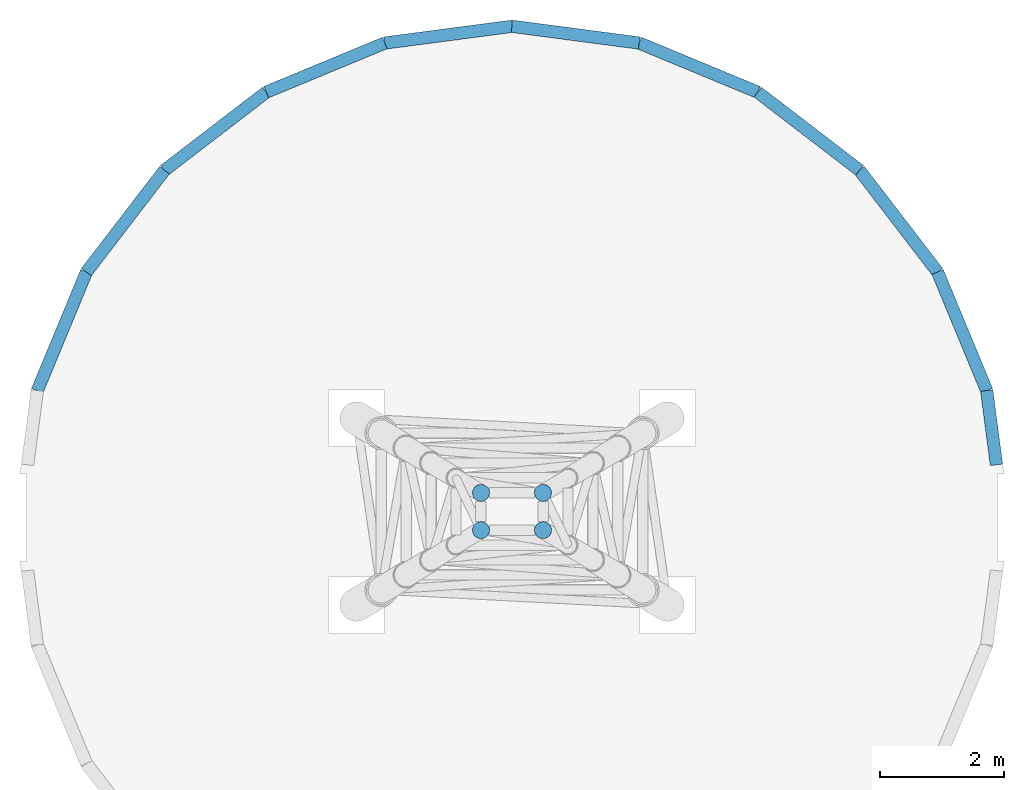
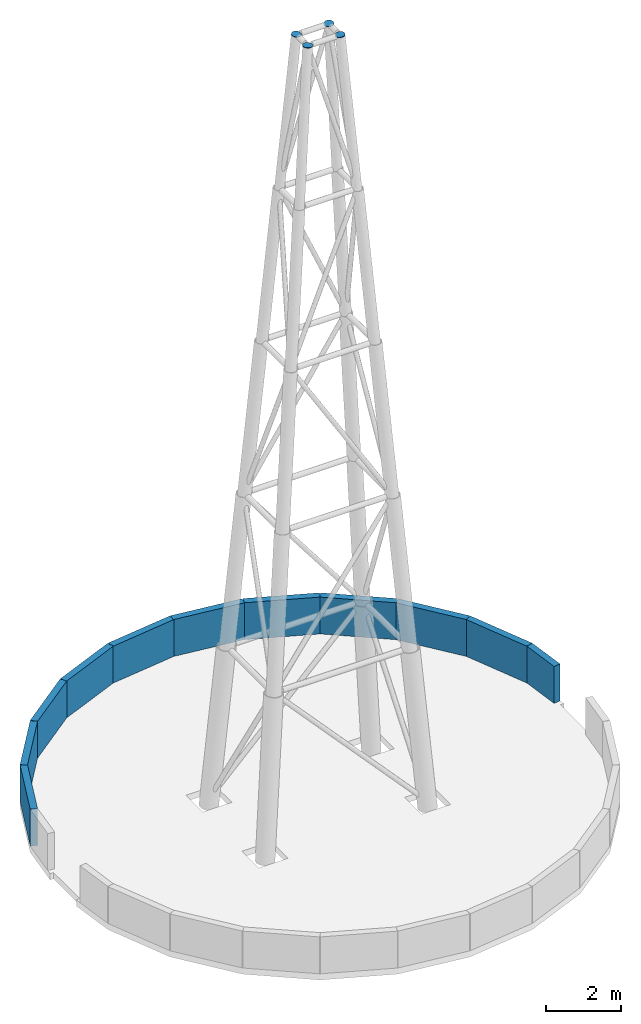
# One storey, part 2 of 2: 11 walls, 4 discrete accessories.
"""IFC4 building model written with IfcOpenShell, lengths in metres."""

import ifcopenshell
import ifcopenshell.guid

model = None  # the IFC model being written
_history = None  # IfcOwnerHistory: only IFC2X3 demands one
_inside = {}  # id of a spatial element -> (the spatial element, [elements in it])
_under = {}  # id of a project, library or spatial element -> (it, [spatial elements below it])
_declared = {}  # id of a project -> (the project, [libraries it declares])
_typed = {}  # id of a type object -> (the type object, [elements of that type])
_made_of = {}  # id of a material, layer set ... -> (it, [elements and type objects made of it])


def new_model(schema):
    """Start an empty IFC model of exactly this schema.

    Asked for "IFC4X3", IfcOpenShell would pick the latest addendum, in which some entities
    have other attributes; the version numbers below select the first issue.
    IFC2X3 requires an IfcOwnerHistory on every rooted entity: one is made here for all.
    """
    global model, _history
    if schema == "IFC4X3":
        model = ifcopenshell.file(schema_version=(4, 3, 0, 0))
    else:
        model = ifcopenshell.file(schema=schema)
    _inside.clear()
    _under.clear()
    _declared.clear()
    _typed.clear()
    _made_of.clear()
    _history = None
    if model.schema == "IFC2X3":
        org = make("IfcOrganization", Name="unknown")
        user = make(
            "IfcPersonAndOrganization",
            ThePerson=make("IfcPerson", FamilyName="unknown"),
            TheOrganization=org,
        )
        app = make(
            "IfcApplication",
            ApplicationDeveloper=org,
            Version="unknown",
            ApplicationFullName="unknown",
            ApplicationIdentifier="unknown",
        )
        _history = make(
            "IfcOwnerHistory",
            OwningUser=user,
            OwningApplication=app,
            ChangeAction="ADDED",
            CreationDate=0,
        )
    return model


def make(cls, **values):
    """One entity of the class cls with the attributes given. An attribute that is None is left unset."""
    return model.create_entity(
        cls, **{name: value for name, value in values.items() if value is not None}
    )


def rooted(cls, **values):
    """An entity with a GlobalId (a new one), such as an element, a storey or a relation."""
    return make(cls, GlobalId=ifcopenshell.guid.new(), OwnerHistory=_history, **values)


def si_unit(unit_type, name, prefix=None):
    """IfcSIUnit, for example si_unit("LENGTHUNIT", "METRE", prefix="MILLI")."""
    return make("IfcSIUnit", UnitType=unit_type, Prefix=prefix, Name=name)


def assignment(units):
    """IfcUnitAssignment: the units of a project."""
    return None if units is None else make("IfcUnitAssignment", Units=units)


def point(xyz):
    """IfcCartesianPoint."""
    return None if xyz is None else make("IfcCartesianPoint", Coordinates=xyz)


def direction(xyz):
    """IfcDirection."""
    return None if xyz is None else make("IfcDirection", DirectionRatios=xyz)


def frame(location, z_axis=None, x_axis=None):
    """IfcAxis2Placement3D, a coordinate frame: its origin and axes. An axis left out is left unset."""
    return make(
        "IfcAxis2Placement3D",
        Location=point(location),
        Axis=direction(z_axis),
        RefDirection=direction(x_axis),
    )


def frame_2d(location, x_axis=None):
    """IfcAxis2Placement2D, a coordinate frame in the plane: its origin and x axis."""
    return make(
        "IfcAxis2Placement2D", Location=point(location), RefDirection=direction(x_axis)
    )


def origin():
    """The frame at (0, 0, 0) with its axes left unset."""
    return frame((0.0, 0.0, 0.0))


def origin_2d():
    """The frame at (0, 0) in the plane with its x axis left unset."""
    return frame_2d((0.0, 0.0))


def place(relative_to, where):
    """IfcLocalPlacement: puts the frame where relative to a parent placement (None: the world)."""
    return make(
        "IfcLocalPlacement", PlacementRelTo=relative_to, RelativePlacement=where
    )


def context(
    kind, dimensions, precision=None, world=None, true_north=None, identifier=None
):
    """IfcGeometricRepresentationContext, for example the 3D "Model" context."""
    return make(
        "IfcGeometricRepresentationContext",
        ContextIdentifier=identifier,
        ContextType=kind,
        CoordinateSpaceDimension=dimensions,
        Precision=precision,
        WorldCoordinateSystem=world,
        TrueNorth=true_north,
    )


def subcontext(parent, identifier, kind, view, scale=None):
    """IfcGeometricRepresentationSubContext, for example "Body" below "Model"."""
    return make(
        "IfcGeometricRepresentationSubContext",
        ContextIdentifier=identifier,
        ContextType=kind,
        ParentContext=parent,
        TargetScale=scale,
        TargetView=view,
    )


def project(units=None, contexts=None):
    """IfcProject with its units and contexts."""
    return rooted(
        "IfcProject",
        Name="project",
        RepresentationContexts=contexts,
        UnitsInContext=assignment(units),
    )


def spatial(cls, under=None, at=None, **own):
    """A site, building, storey or space (cls), placed at a placement, below another one or the project."""
    s = rooted(cls, ObjectPlacement=at, **own)
    if under is not None:
        _under.setdefault(under.id(), (under, []))[1].append(s)
    return s


def profile(cls, at=None, kind="AREA", **sizes):
    """A parametric profile (cls). Its sizes go by their IFC names, for example OverallWidth=200.0."""
    return make(cls, ProfileType=kind, Position=at, **sizes)


def rectangle(**sizes):
    """IfcRectangleProfileDef."""
    return profile("IfcRectangleProfileDef", **sizes)


def circle(**sizes):
    """IfcCircleProfileDef."""
    return profile("IfcCircleProfileDef", **sizes)


def extrude(swept, where, along, depth):
    """IfcExtrudedAreaSolid: the profile swept, set in the frame where, extruded along a direction by depth."""
    return make(
        "IfcExtrudedAreaSolid",
        SweptArea=swept,
        Position=where,
        ExtrudedDirection=direction(along),
        Depth=depth,
    )


def shape(context_of_items, identifier, shape_type, items):
    """IfcShapeRepresentation: the items that make up one representation, for example the "Body"."""
    return make(
        "IfcShapeRepresentation",
        ContextOfItems=context_of_items,
        RepresentationIdentifier=identifier,
        RepresentationType=shape_type,
        Items=items,
    )


def material(Name=None, Category=None):
    """IfcMaterial."""
    return make("IfcMaterial", Name=Name, Category=Category)


def layer(
    of_material, thickness, ventilated=None, Name=None, Category=None, Priority=None
):
    """IfcMaterialLayer: one layer of a wall or slab, of a material (None: an air gap)."""
    return make(
        "IfcMaterialLayer",
        Material=of_material,
        LayerThickness=thickness,
        IsVentilated=ventilated,
        Name=Name,
        Category=Category,
        Priority=Priority,
    )


def layer_set(layers, Name=None):
    """IfcMaterialLayerSet."""
    return make("IfcMaterialLayerSet", MaterialLayers=layers, LayerSetName=Name)


def material_profile(
    of_material, cross_section, Name=None, Category=None, Priority=None
):
    """IfcMaterialProfile: a cross section and its material."""
    return make(
        "IfcMaterialProfile",
        Name=Name,
        Material=of_material,
        Profile=cross_section,
        Priority=Priority,
        Category=Category,
    )


def profile_set(profiles, Name=None, composite=None):
    """IfcMaterialProfileSet."""
    return make(
        "IfcMaterialProfileSet",
        Name=Name,
        MaterialProfiles=profiles,
        CompositeProfile=composite,
    )


def made_of(thing, what):
    """Note that an element or type object is made of a material, layer set ...; save() writes the relation."""
    if what is not None:
        _made_of.setdefault(what.id(), (what, []))[1].append(thing)
    return thing


def type_object(cls, material=None, **own):
    """A type object (cls), such as IfcWallType, which elements share."""
    return made_of(rooted(cls, **own), material)


def element(
    cls,
    number,
    at=None,
    inside=None,
    cuts=None,
    type_object=None,
    material=None,
    context=None,
    identifier="Body",
    shape_type=None,
    held_by="IfcProductDefinitionShape",
    body=None,
    shapes=None,
    **own,
):
    """One element of the class cls, such as IfcWall. Its Tag is "e" and its number.

    at: its placement. inside: the storey or other place that contains it. cuts: it is an
    opening in that element (IfcRelVoidsElement). A single representation is given by context,
    identifier, shape_type and body (its items); several are given by shapes. held_by: the class
    of the entity that holds the representations. save() writes the other relations.
    """
    e = rooted(cls, Tag="e%d" % number, ObjectPlacement=at, **own)
    if body is not None:
        shapes = [shape(context, identifier, shape_type, body)]
    if shapes is not None:
        e.Representation = make(held_by, Representations=shapes)
    if inside is not None:
        _inside.setdefault(inside.id(), (inside, []))[1].append(e)
    if cuts is not None:
        rooted(
            "IfcRelVoidsElement", RelatingBuildingElement=cuts, RelatedOpeningElement=e
        )
    if type_object is not None:
        _typed.setdefault(type_object.id(), (type_object, []))[1].append(e)
    return made_of(e, material)


def aggregate(whole, parts):
    """IfcRelAggregates: a whole, such as a stair, and the parts it consists of."""
    return rooted("IfcRelAggregates", RelatingObject=whole, RelatedObjects=parts)


def save(model, path):
    """Write the relations noted so far, then the file.

    IfcRelAggregates (storeys below a building ...), IfcRelContainedInSpatialStructure (elements
    in a storey), IfcRelDefinesByType, IfcRelAssociatesMaterial and IfcRelDeclares: one each for
    every whole, place, type object, material and project.
    """
    for whole, parts in _under.values():
        aggregate(whole, parts)
    for where, things in _inside.values():
        rooted(
            "IfcRelContainedInSpatialStructure",
            RelatedElements=things,
            RelatingStructure=where,
        )
    for kind, things in _typed.values():
        rooted("IfcRelDefinesByType", RelatedObjects=things, RelatingType=kind)
    for what, things in _made_of.values():
        rooted("IfcRelAssociatesMaterial", RelatedObjects=things, RelatingMaterial=what)
    for by, libraries in _declared.values():
        rooted("IfcRelDeclares", RelatingContext=by, RelatedDefinitions=libraries)
    model.write(path)


model = new_model("IFC4")

# Units and contexts
model_context = context("Model", 3, precision=1e-05, world=origin(), true_north=direction((0.0, 1.0)))
body_context = subcontext(model_context, "Body", "Model", "MODEL_VIEW")
ifc_project = project(units=[si_unit("LENGTHUNIT", "METRE"), si_unit("AREAUNIT", "SQUARE_METRE"), si_unit("VOLUMEUNIT", "CUBIC_METRE"), si_unit("PLANEANGLEUNIT", "RADIAN"), si_unit("MASSUNIT", "GRAM", prefix="KILO")], contexts=[model_context])

# Site, building, storey
site_placement = place(None, origin())
site = spatial("IfcSite", under=ifc_project, at=site_placement, CompositionType="ELEMENT")
building_placement = place(site_placement, origin())
building = spatial("IfcBuilding", under=site, at=building_placement, Name="Cinnabar Reach Civic Tower", CompositionType="ELEMENT")
storey_placement = place(building_placement, frame((0.0, 0.0, 305.0)))
storey = spatial("IfcBuildingStorey", under=building, at=storey_placement, Name="Roof crown", CompositionType="ELEMENT", Elevation=305.0)

# Walls
ifc_material_1 = material(Name="Concrete C40/50", Category="concrete")
ifc_layer = layer(ifc_material_1, 0.2)
ifc_layer_set = layer_set([ifc_layer], Name="T1 drum roof parapet 200")
wall_type = type_object("IfcWallType", Name="T1 drum roof parapet 200", PredefinedType="PARAPET", material=ifc_layer_set)
wall_1_placement = place(storey_placement, frame((21.7872, 55.35, 0.0), z_axis=(0.0, 0.0, 1.0), x_axis=(-0.130488868502, 0.99144977442, 0.0)))
element("IfcWall", 1, at=wall_1_placement, inside=storey, type_object=wall_type, Name="Drum roof parapet", PredefinedType="PARAPET", context=body_context, shape_type="SweptSolid", body=[
    extrude(rectangle(XDim=1.2047, YDim=0.2, at=frame_2d((0.6024, 0.0))), origin(), (0.0, 0.0, 1.0), 1.2),
])
wall_2_placement = place(storey_placement, frame((21.63, 56.5444, 0.0), z_axis=(0.0, 0.0, 1.0), x_axis=(-0.382658730232, 0.923889764083, 0.0)))
element("IfcWall", 2, at=wall_2_placement, inside=storey, type_object=wall_type, Name="Drum roof parapet", PredefinedType="PARAPET", context=body_context, shape_type="SweptSolid", body=[
    extrude(rectangle(XDim=2.0622, YDim=0.2, at=frame_2d((1.0311, 0.0))), origin(), (0.0, 0.0, 1.0), 1.2),
])
for number, where, z_axis, x_axis, name in (
    (3, (20.8409, 58.4496, 0.0), (0.0, 0.0, 1.0), (-0.608801041052, 0.79332294333, 0.0), "Drum roof parapet"),
    (4, (19.5855, 60.0855, 0.0), (0.0, 0.0, 1.0), (-0.79332294333, 0.608801041052, 0.0), "Drum roof parapet"),
):
    element("IfcWall", number, at=place(storey_placement, frame(where, z_axis=z_axis, x_axis=x_axis)), inside=storey, type_object=wall_type, Name=name, PredefinedType="PARAPET", context=body_context, shape_type="SweptSolid", body=[
        extrude(rectangle(XDim=2.0621, YDim=0.2, at=frame_2d((1.0311, 0.0))), origin(), (0.0, 0.0, 1.0), 1.2),
    ])
wall_3_placement = place(storey_placement, frame((17.9496, 61.3409, 0.0), z_axis=(0.0, 0.0, 1.0), x_axis=(-0.923889764083, 0.382658730232, 0.0)))
element("IfcWall", 5, at=wall_3_placement, inside=storey, type_object=wall_type, Name="Drum roof parapet", PredefinedType="PARAPET", context=body_context, shape_type="SweptSolid", body=[
    extrude(rectangle(XDim=2.0622, YDim=0.2, at=frame_2d((1.0311, 0.0))), origin(), (0.0, 0.0, 1.0), 1.2),
])
for number, where, z_axis, x_axis, name in (
    (6, (16.0444, 62.13, 0.0), (0.0, 0.0, 1.0), (-0.991448021966, 0.130502182895, 0.0), "Drum roof parapet"),
    (7, (14.0, 62.3991, 0.0), (0.0, 0.0, 1.0), (-0.991448021966, -0.130502182895, 0.0), "Drum roof parapet"),
):
    element("IfcWall", number, at=place(storey_placement, frame(where, z_axis=z_axis, x_axis=x_axis)), inside=storey, type_object=wall_type, Name=name, PredefinedType="PARAPET", context=body_context, shape_type="SweptSolid", body=[
        extrude(rectangle(XDim=2.062, YDim=0.2, at=frame_2d((1.031, 0.0))), origin(), (0.0, 0.0, 1.0), 1.2),
    ])
wall_4_placement = place(storey_placement, frame((11.9556, 62.13, 0.0), z_axis=(0.0, 0.0, 1.0), x_axis=(-0.923889764083, -0.382658730232, 0.0)))
element("IfcWall", 8, at=wall_4_placement, inside=storey, type_object=wall_type, Name="Drum roof parapet", PredefinedType="PARAPET", context=body_context, shape_type="SweptSolid", body=[
    extrude(rectangle(XDim=2.0622, YDim=0.2, at=frame_2d((1.0311, 0.0))), origin(), (0.0, 0.0, 1.0), 1.2),
])
for number, where, z_axis, x_axis, name in (
    (9, (10.0504, 61.3409, 0.0), (0.0, 0.0, 1.0), (-0.79332294333, -0.608801041052, 0.0), "Drum roof parapet"),
    (10, (8.4145, 60.0855, 0.0), (0.0, 0.0, 1.0), (-0.608801041052, -0.79332294333, 0.0), "Drum roof parapet"),
):
    element("IfcWall", number, at=place(storey_placement, frame(where, z_axis=z_axis, x_axis=x_axis)), inside=storey, type_object=wall_type, Name=name, PredefinedType="PARAPET", context=body_context, shape_type="SweptSolid", body=[
        extrude(rectangle(XDim=2.0621, YDim=0.2, at=frame_2d((1.0311, 0.0))), origin(), (0.0, 0.0, 1.0), 1.2),
    ])
wall_5_placement = place(storey_placement, frame((7.1591, 58.4496, 0.0), z_axis=(0.0, 0.0, 1.0), x_axis=(-0.382658730232, -0.923889764083, 0.0)))
element("IfcWall", 11, at=wall_5_placement, inside=storey, type_object=wall_type, Name="Drum roof parapet", PredefinedType="PARAPET", context=body_context, shape_type="SweptSolid", body=[
    extrude(rectangle(XDim=2.0622, YDim=0.2, at=frame_2d((1.0311, 0.0))), origin(), (0.0, 0.0, 1.0), 1.2),
])

# Discrete accessories
ifc_material_2 = material(Name="Steel Q355B", Category="steel")
ifc_material_profile = material_profile(ifc_material_2, circle(Radius=0.1365, at=origin_2d()), Name="CHS273x10 mast leg cap plate")
ifc_profile_set = profile_set([ifc_material_profile], Name="Steel Q355B")
discrete_accessory_type = type_object("IfcDiscreteAccessoryType", Name="CHS273x10 mast leg cap plate", PredefinedType="USERDEFINED", material=ifc_profile_set)
for number, where, z_axis, x_axis, name in (
    (12, (14.5, 54.3, 24.9), (-0.075087339828, 0.045052403897, 0.99615870839), (-0.514495755428, -0.857492925712, 0.0), "MAST leg cap plate"),
    (13, (14.5, 54.9, 24.9), (-0.075087339828, -0.045052403897, 0.99615870839), (0.514495755428, -0.857492925712, 0.0), "MAST leg cap plate"),
    (14, (13.5, 54.9, 24.9), (0.075087339828, -0.045052403897, 0.99615870839), (0.514495755428, 0.857492925712, 0.0), "MAST leg cap plate"),
    (15, (13.5, 54.3, 24.9), (0.075087339828, 0.045052403897, 0.99615870839), (-0.514495755428, 0.857492925712, 0.0), "MAST leg cap plate"),
):
    element("IfcDiscreteAccessory", number, at=place(storey_placement, frame(where, z_axis=z_axis, x_axis=x_axis)), inside=storey, type_object=discrete_accessory_type, Name=name, ObjectType="MAST LEG CAP PLATE", PredefinedType="USERDEFINED", context=body_context, shape_type="SweptSolid", body=[
        extrude(circle(Radius=0.1365, at=origin_2d()), origin(), (0.0, 0.0, 1.0), 0.02),
    ])

save(model, "model.ifc")
